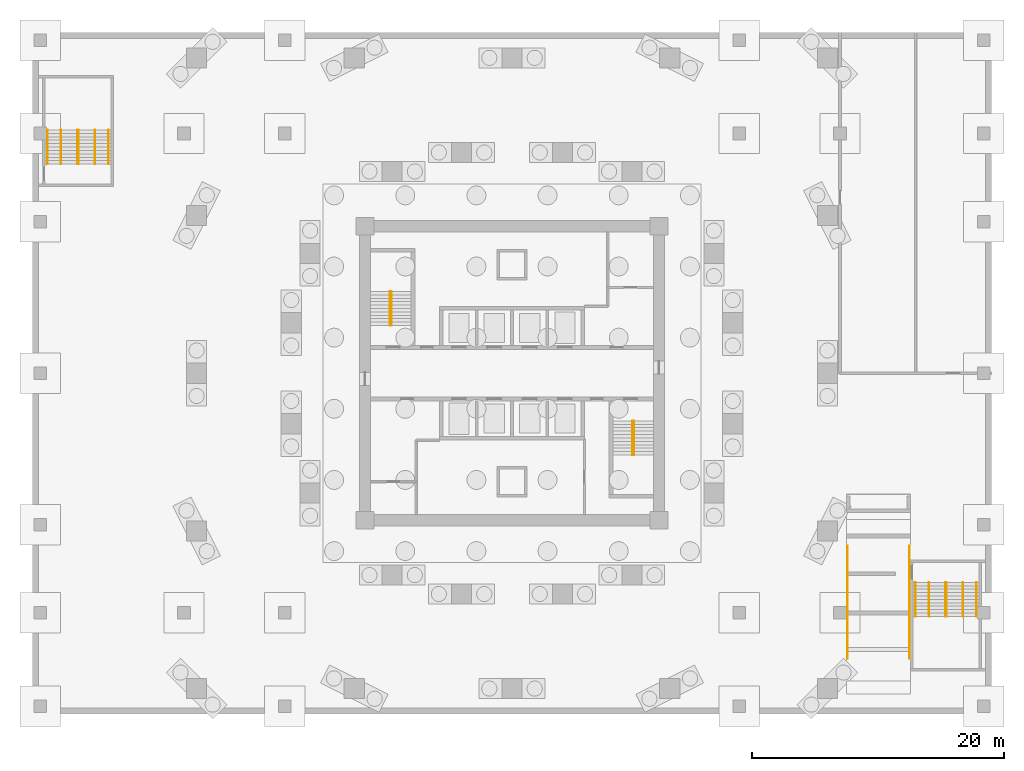
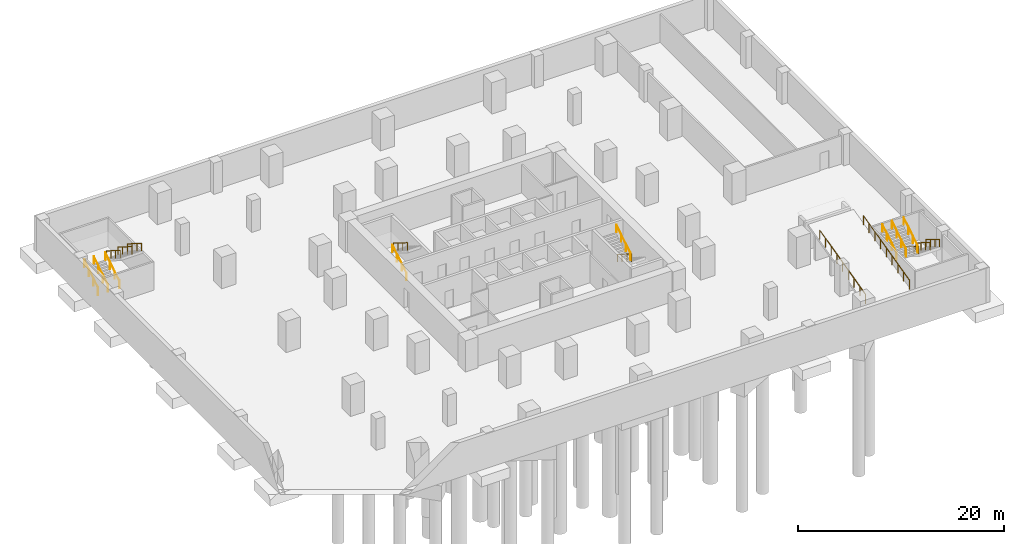
# One storey, part 10 of 11: 18 railings, 4 elements without a shape of their own.
"""IFC4 building model written with IfcOpenShell, lengths in metres."""

from ifc_helpers import new_model, si_unit, direction, frame, origin, origin_2d, place, context, subcontext, project, spatial, circle, extrude, material, type_object, element, aggregate, save


model = new_model("IFC4")

# Units and contexts
model_context = context("Model", 3, precision=1e-05, world=origin(), true_north=direction((0.0, 1.0)))
body_context = subcontext(model_context, "Body", "Model", "MODEL_VIEW")
ifc_project = project(units=[si_unit("LENGTHUNIT", "METRE"), si_unit("AREAUNIT", "SQUARE_METRE"), si_unit("VOLUMEUNIT", "CUBIC_METRE"), si_unit("PLANEANGLEUNIT", "RADIAN"), si_unit("MASSUNIT", "GRAM", prefix="KILO")], contexts=[model_context])

# Site, building, storey
site_placement = place(None, origin())
site = spatial("IfcSite", under=ifc_project, at=site_placement, CompositionType="ELEMENT")
building_placement = place(site_placement, origin())
building = spatial("IfcBuilding", under=site, at=building_placement, Name="Torsade Residences", CompositionType="ELEMENT")
storey_placement = place(building_placement, frame((0.0, 0.0, -7.39990234375)))
storey = spatial("IfcBuildingStorey", under=building, at=storey_placement, Name="B2", CompositionType="ELEMENT", Elevation=-7.39990234375)

# Railings
ifc_material_1 = material(Name="Galvanised steel guard rail", Category="steel")
railing_type_1 = type_object("IfcRailingType", Name="RAMP OPENING GUARD 1100", PredefinedType="GUARDRAIL", material=ifc_material_1)
for number, where, name in (
    (1, (66.60009765625, 7.39990234375, 0.699951171875), "Ramp edge guard R1 west"),
    (2, (71.5, 7.39990234375, 0.699951171875), "Ramp edge guard R1 east"),
):
    element("IfcRailing", number, at=place(storey_placement, frame(where)), inside=storey, type_object=railing_type_1, Name=name, PredefinedType="GUARDRAIL", context=body_context, shape_type="SweptSolid", body=[
        extrude(circle(Radius=0.02392578125, at=origin_2d()), frame((0.0, 0.0, 1.076171875), z_axis=(0.0, 0.970147196231, 0.242516839919), x_axis=(-1.0, 0.0, 0.0)), (0.0, 0.0, 1.0), 9.174072265625),
        extrude(circle(Radius=0.02099609375, at=origin_2d()), origin(), (0.0, 0.0, 1.0), 1.052001953125),
        extrude(circle(Radius=0.02099609375, at=origin_2d()), frame((0.0, 1.112548828125, 0.278076171875)), (0.0, 0.0, 1.0), 1.052001953125),
        extrude(circle(Radius=0.02099609375, at=origin_2d()), frame((0.0, 2.22509765625, 0.55615234375)), (0.0, 0.0, 1.0), 1.052001953125),
        extrude(circle(Radius=0.02099609375, at=origin_2d()), frame((0.0, 3.337646484375, 0.834228515625)), (0.0, 0.0, 1.0), 1.052001953125),
        extrude(circle(Radius=0.02099609375, at=origin_2d()), frame((0.0, 4.4501953125, 1.1123046875)), (0.0, 0.0, 1.0), 1.052001953125),
        extrude(circle(Radius=0.02099609375, at=origin_2d()), frame((0.0, 5.5625, 1.390625)), (0.0, 0.0, 1.0), 1.052001953125),
        extrude(circle(Radius=0.02099609375, at=origin_2d()), frame((0.0, 6.675048828125, 1.668701171875)), (0.0, 0.0, 1.0), 1.052001953125),
        extrude(circle(Radius=0.02099609375, at=origin_2d()), frame((0.0, 7.78759765625, 1.94677734375)), (0.0, 0.0, 1.0), 1.052001953125),
        extrude(circle(Radius=0.02099609375, at=origin_2d()), frame((0.0, 8.900146484375, 2.224853515625)), (0.0, 0.0, 1.0), 1.052001953125),
    ])

# Stair, railings
ifc_material_2 = material(Name="Precast concrete 40 MPa", Category="concrete")
stair_type_1 = type_object("IfcStairType", Name="HALF-TURN FIRE STAIR 1500x3700", PredefinedType="HALF_TURN_STAIR", material=ifc_material_2)
stair_1_placement = place(storey_placement, origin())
stair_1 = element("IfcStair", 3, at=stair_1_placement, inside=storey, type_object=stair_type_1, Name="Stair ST1 B2", PredefinedType="HALF_TURN_STAIR")
ifc_material_3 = material(Name="Steel handrail", Category="steel")
railing_type_2 = type_object("IfcRailingType", Name="STAIR HANDRAIL 900", PredefinedType="HANDRAIL", material=ifc_material_3)
railing_1_placement = place(storey_placement, frame((30.35009765625, 33.780029296875, 0.16796875)))
railing_1 = element("IfcRailing", 4, at=railing_1_placement, type_object=railing_type_2, Name="Handrail ST1 flight 1 B2", PredefinedType="HANDRAIL", context=body_context, shape_type="SweptSolid", body=[
    extrude(circle(Radius=0.02392578125, at=origin_2d()), frame((0.0, 0.0, 0.8759765625), z_axis=(0.0, 0.848786430784, 0.528735846068), x_axis=(-1.0, 0.0, 0.0)), (0.0, 0.0, 1.0), 3.180908203125),
    extrude(circle(Radius=0.02099609375, at=origin_2d()), origin(), (0.0, 0.0, 1.0), 0.851806640625),
    extrude(circle(Radius=0.02099609375, at=origin_2d()), frame((0.0, 0.89990234375, 0.560546875)), (0.0, 0.0, 1.0), 0.851806640625),
    extrude(circle(Radius=0.02099609375, at=origin_2d()), frame((0.0, 1.800048828125, 1.121337890625)), (0.0, 0.0, 1.0), 0.851806640625),
    extrude(circle(Radius=0.02099609375, at=origin_2d()), frame((0.0, 2.699951171875, 1.681884765625)), (0.0, 0.0, 1.0), 0.851806640625),
])
railing_2_placement = place(storey_placement, frame((30.449951171875, 36.47998046875, 2.01806640625)))
railing_2 = element("IfcRailing", 5, at=railing_2_placement, type_object=railing_type_2, Name="Handrail ST1 flight 2 B2", PredefinedType="HANDRAIL", context=body_context, shape_type="SweptSolid", body=[
    extrude(circle(Radius=0.02392578125, at=origin_2d()), frame((0.0, 0.0, 0.8759765625), z_axis=(0.0, -0.848786430784, 0.528735846068), x_axis=(1.0, 0.0, 0.0)), (0.0, 0.0, 1.0), 3.180908203125),
    extrude(circle(Radius=0.02099609375, at=origin_2d()), origin(), (0.0, 0.0, 1.0), 0.851806640625),
    extrude(circle(Radius=0.02099609375, at=origin_2d()), frame((0.0, -0.89990234375, 0.560546875)), (0.0, 0.0, 1.0), 0.851806640625),
    extrude(circle(Radius=0.02099609375, at=origin_2d()), frame((0.0, -1.800048828125, 1.121337890625)), (0.0, 0.0, 1.0), 0.851806640625),
    extrude(circle(Radius=0.02099609375, at=origin_2d()), frame((0.0, -2.699951171875, 1.681884765625)), (0.0, 0.0, 1.0), 0.851806640625),
])
aggregate(stair_1, [railing_1, railing_2])

stair_2_placement = place(storey_placement, origin())
stair_2 = element("IfcStair", 6, at=stair_2_placement, inside=storey, type_object=stair_type_1, Name="Stair ST2 B2", PredefinedType="HALF_TURN_STAIR")
railing_3_placement = place(storey_placement, frame((49.64990234375, 26.219970703125, 0.16796875)))
railing_3 = element("IfcRailing", 7, at=railing_3_placement, type_object=railing_type_2, Name="Handrail ST2 flight 1 B2", PredefinedType="HANDRAIL", context=body_context, shape_type="SweptSolid", body=[
    extrude(circle(Radius=0.02392578125, at=origin_2d()), frame((0.0, 0.0, 0.8759765625), z_axis=(0.0, -0.848786430784, 0.528735846068), x_axis=(1.0, 0.0, 0.0)), (0.0, 0.0, 1.0), 3.180908203125),
    extrude(circle(Radius=0.02099609375, at=origin_2d()), origin(), (0.0, 0.0, 1.0), 0.851806640625),
    extrude(circle(Radius=0.02099609375, at=origin_2d()), frame((0.0, -0.89990234375, 0.560546875)), (0.0, 0.0, 1.0), 0.851806640625),
    extrude(circle(Radius=0.02099609375, at=origin_2d()), frame((0.0, -1.800048828125, 1.121337890625)), (0.0, 0.0, 1.0), 0.851806640625),
    extrude(circle(Radius=0.02099609375, at=origin_2d()), frame((0.0, -2.699951171875, 1.681884765625)), (0.0, 0.0, 1.0), 0.851806640625),
])
railing_4_placement = place(storey_placement, frame((49.550048828125, 23.52001953125, 2.01806640625)))
railing_4 = element("IfcRailing", 8, at=railing_4_placement, type_object=railing_type_2, Name="Handrail ST2 flight 2 B2", PredefinedType="HANDRAIL", context=body_context, shape_type="SweptSolid", body=[
    extrude(circle(Radius=0.02392578125, at=origin_2d()), frame((0.0, 0.0, 0.8759765625), z_axis=(0.0, 0.848786430784, 0.528735846068), x_axis=(-1.0, 0.0, 0.0)), (0.0, 0.0, 1.0), 3.180908203125),
    extrude(circle(Radius=0.02099609375, at=origin_2d()), origin(), (0.0, 0.0, 1.0), 0.851806640625),
    extrude(circle(Radius=0.02099609375, at=origin_2d()), frame((0.0, 0.89990234375, 0.560546875)), (0.0, 0.0, 1.0), 0.851806640625),
    extrude(circle(Radius=0.02099609375, at=origin_2d()), frame((0.0, 1.800048828125, 1.121337890625)), (0.0, 0.0, 1.0), 0.851806640625),
    extrude(circle(Radius=0.02099609375, at=origin_2d()), frame((0.0, 2.699951171875, 1.681884765625)), (0.0, 0.0, 1.0), 0.851806640625),
])
aggregate(stair_2, [railing_3, railing_4])

ifc_material_4 = material(Name="Concrete 40 MPa", Category="concrete")
stair_type_2 = type_object("IfcStairType", Name="HALF-TURN PODIUM STAIR 2500x3700", PredefinedType="HALF_TURN_STAIR", material=ifc_material_4)
stair_3_placement = place(storey_placement, origin())
stair_3 = element("IfcStair", 9, at=stair_3_placement, inside=storey, type_object=stair_type_2, Name="Stair ST3 B2", PredefinedType="HALF_TURN_STAIR")
railing_5_placement = place(storey_placement, frame((5.550048828125, 46.580078125, 0.16796875)))
railing_5 = element("IfcRailing", 10, at=railing_5_placement, type_object=railing_type_2, Name="Handrail ST3 flight 1 B2", PredefinedType="HANDRAIL", context=body_context, shape_type="SweptSolid", body=[
    extrude(circle(Radius=0.02392578125, at=origin_2d()), frame((0.0, 0.0, 0.8759765625), z_axis=(0.0, 0.848786430784, 0.528735846068), x_axis=(-1.0, 0.0, 0.0)), (0.0, 0.0, 1.0), 3.180908203125),
    extrude(circle(Radius=0.02099609375, at=origin_2d()), origin(), (0.0, 0.0, 1.0), 0.851806640625),
    extrude(circle(Radius=0.02099609375, at=origin_2d()), frame((0.0, 0.89990234375, 0.560546875)), (0.0, 0.0, 1.0), 0.851806640625),
    extrude(circle(Radius=0.02099609375, at=origin_2d()), frame((0.0, 1.800048828125, 1.121337890625)), (0.0, 0.0, 1.0), 0.851806640625),
    extrude(circle(Radius=0.02099609375, at=origin_2d()), frame((0.0, 2.699951171875, 1.681884765625)), (0.0, 0.0, 1.0), 0.851806640625),
])
railing_6_placement = place(storey_placement, frame((3.175048828125, 46.580078125, 0.16796875)))
railing_6 = element("IfcRailing", 11, at=railing_6_placement, type_object=railing_type_2, Name="Handrail ST3 flight 1 wall side B2", PredefinedType="HANDRAIL", context=body_context, shape_type="SweptSolid", body=[
    extrude(circle(Radius=0.02392578125, at=origin_2d()), frame((0.0, 0.0, 0.8759765625), z_axis=(0.0, 0.848786430784, 0.528735846068), x_axis=(-1.0, 0.0, 0.0)), (0.0, 0.0, 1.0), 3.180908203125),
    extrude(circle(Radius=0.02099609375, at=origin_2d()), origin(), (0.0, 0.0, 1.0), 0.851806640625),
    extrude(circle(Radius=0.02099609375, at=origin_2d()), frame((0.0, 0.89990234375, 0.560546875)), (0.0, 0.0, 1.0), 0.851806640625),
    extrude(circle(Radius=0.02099609375, at=origin_2d()), frame((0.0, 1.800048828125, 1.121337890625)), (0.0, 0.0, 1.0), 0.851806640625),
    extrude(circle(Radius=0.02099609375, at=origin_2d()), frame((0.0, 2.699951171875, 1.681884765625)), (0.0, 0.0, 1.0), 0.851806640625),
])
railing_7_placement = place(storey_placement, frame((4.25, 46.580078125, 0.16796875)))
railing_7 = element("IfcRailing", 12, at=railing_7_placement, type_object=railing_type_2, Name="Handrail ST3 flight 1 intermediate B2", PredefinedType="HANDRAIL", context=body_context, shape_type="SweptSolid", body=[
    extrude(circle(Radius=0.02392578125, at=origin_2d()), frame((0.0, 0.0, 0.8759765625), z_axis=(0.0, 0.848786430784, 0.528735846068), x_axis=(-1.0, 0.0, 0.0)), (0.0, 0.0, 1.0), 3.180908203125),
    extrude(circle(Radius=0.02099609375, at=origin_2d()), origin(), (0.0, 0.0, 1.0), 0.851806640625),
    extrude(circle(Radius=0.02099609375, at=origin_2d()), frame((0.0, 0.89990234375, 0.560546875)), (0.0, 0.0, 1.0), 0.851806640625),
    extrude(circle(Radius=0.02099609375, at=origin_2d()), frame((0.0, 1.800048828125, 1.121337890625)), (0.0, 0.0, 1.0), 0.851806640625),
    extrude(circle(Radius=0.02099609375, at=origin_2d()), frame((0.0, 2.699951171875, 1.681884765625)), (0.0, 0.0, 1.0), 0.851806640625),
])
railing_8_placement = place(storey_placement, frame((5.64990234375, 49.280029296875, 2.01806640625)))
railing_8 = element("IfcRailing", 13, at=railing_8_placement, type_object=railing_type_2, Name="Handrail ST3 flight 2 B2", PredefinedType="HANDRAIL", context=body_context, shape_type="SweptSolid", body=[
    extrude(circle(Radius=0.02392578125, at=origin_2d()), frame((0.0, 0.0, 0.8759765625), z_axis=(0.0, -0.848786430784, 0.528735846068), x_axis=(1.0, 0.0, 0.0)), (0.0, 0.0, 1.0), 3.180908203125),
    extrude(circle(Radius=0.02099609375, at=origin_2d()), origin(), (0.0, 0.0, 1.0), 0.851806640625),
    extrude(circle(Radius=0.02099609375, at=origin_2d()), frame((0.0, -0.89990234375, 0.560546875)), (0.0, 0.0, 1.0), 0.851806640625),
    extrude(circle(Radius=0.02099609375, at=origin_2d()), frame((0.0, -1.800048828125, 1.121337890625)), (0.0, 0.0, 1.0), 0.851806640625),
    extrude(circle(Radius=0.02099609375, at=origin_2d()), frame((0.0, -2.699951171875, 1.681884765625)), (0.0, 0.0, 1.0), 0.851806640625),
])
railing_9_placement = place(storey_placement, frame((8.02490234375, 49.280029296875, 2.01806640625)))
railing_9 = element("IfcRailing", 14, at=railing_9_placement, type_object=railing_type_2, Name="Handrail ST3 flight 2 wall side B2", PredefinedType="HANDRAIL", context=body_context, shape_type="SweptSolid", body=[
    extrude(circle(Radius=0.02392578125, at=origin_2d()), frame((0.0, 0.0, 0.8759765625), z_axis=(0.0, -0.848786430784, 0.528735846068), x_axis=(1.0, 0.0, 0.0)), (0.0, 0.0, 1.0), 3.180908203125),
    extrude(circle(Radius=0.02099609375, at=origin_2d()), origin(), (0.0, 0.0, 1.0), 0.851806640625),
    extrude(circle(Radius=0.02099609375, at=origin_2d()), frame((0.0, -0.89990234375, 0.560546875)), (0.0, 0.0, 1.0), 0.851806640625),
    extrude(circle(Radius=0.02099609375, at=origin_2d()), frame((0.0, -1.800048828125, 1.121337890625)), (0.0, 0.0, 1.0), 0.851806640625),
    extrude(circle(Radius=0.02099609375, at=origin_2d()), frame((0.0, -2.699951171875, 1.681884765625)), (0.0, 0.0, 1.0), 0.851806640625),
])
railing_10_placement = place(storey_placement, frame((6.949951171875, 49.280029296875, 2.01806640625)))
railing_10 = element("IfcRailing", 15, at=railing_10_placement, type_object=railing_type_2, Name="Handrail ST3 flight 2 intermediate B2", PredefinedType="HANDRAIL", context=body_context, shape_type="SweptSolid", body=[
    extrude(circle(Radius=0.02392578125, at=origin_2d()), frame((0.0, 0.0, 0.8759765625), z_axis=(0.0, -0.848786430784, 0.528735846068), x_axis=(1.0, 0.0, 0.0)), (0.0, 0.0, 1.0), 3.180908203125),
    extrude(circle(Radius=0.02099609375, at=origin_2d()), origin(), (0.0, 0.0, 1.0), 0.851806640625),
    extrude(circle(Radius=0.02099609375, at=origin_2d()), frame((0.0, -0.89990234375, 0.560546875)), (0.0, 0.0, 1.0), 0.851806640625),
    extrude(circle(Radius=0.02099609375, at=origin_2d()), frame((0.0, -1.800048828125, 1.121337890625)), (0.0, 0.0, 1.0), 0.851806640625),
    extrude(circle(Radius=0.02099609375, at=origin_2d()), frame((0.0, -2.699951171875, 1.681884765625)), (0.0, 0.0, 1.0), 0.851806640625),
])
aggregate(stair_3, [railing_5, railing_6, railing_7, railing_8, railing_9, railing_10])

stair_4_placement = place(storey_placement, origin())
stair_4 = element("IfcStair", 16, at=stair_4_placement, inside=storey, type_object=stair_type_2, Name="Stair ST4 B2", PredefinedType="HALF_TURN_STAIR")
railing_11_placement = place(storey_placement, frame((74.449951171875, 13.419921875, 0.16796875)))
railing_11 = element("IfcRailing", 17, at=railing_11_placement, type_object=railing_type_2, Name="Handrail ST4 flight 1 B2", PredefinedType="HANDRAIL", context=body_context, shape_type="SweptSolid", body=[
    extrude(circle(Radius=0.02392578125, at=origin_2d()), frame((0.0, 0.0, 0.8759765625), z_axis=(0.0, -0.848786430784, 0.528735846068), x_axis=(1.0, 0.0, 0.0)), (0.0, 0.0, 1.0), 3.180908203125),
    extrude(circle(Radius=0.02099609375, at=origin_2d()), origin(), (0.0, 0.0, 1.0), 0.851806640625),
    extrude(circle(Radius=0.02099609375, at=origin_2d()), frame((0.0, -0.89990234375, 0.560546875)), (0.0, 0.0, 1.0), 0.851806640625),
    extrude(circle(Radius=0.02099609375, at=origin_2d()), frame((0.0, -1.800048828125, 1.121337890625)), (0.0, 0.0, 1.0), 0.851806640625),
    extrude(circle(Radius=0.02099609375, at=origin_2d()), frame((0.0, -2.699951171875, 1.681884765625)), (0.0, 0.0, 1.0), 0.851806640625),
])
railing_12_placement = place(storey_placement, frame((76.824951171875, 13.419921875, 0.16796875)))
railing_12 = element("IfcRailing", 18, at=railing_12_placement, type_object=railing_type_2, Name="Handrail ST4 flight 1 wall side B2", PredefinedType="HANDRAIL", context=body_context, shape_type="SweptSolid", body=[
    extrude(circle(Radius=0.02392578125, at=origin_2d()), frame((0.0, 0.0, 0.8759765625), z_axis=(0.0, -0.848786430784, 0.528735846068), x_axis=(1.0, 0.0, 0.0)), (0.0, 0.0, 1.0), 3.180908203125),
    extrude(circle(Radius=0.02099609375, at=origin_2d()), origin(), (0.0, 0.0, 1.0), 0.851806640625),
    extrude(circle(Radius=0.02099609375, at=origin_2d()), frame((0.0, -0.89990234375, 0.560546875)), (0.0, 0.0, 1.0), 0.851806640625),
    extrude(circle(Radius=0.02099609375, at=origin_2d()), frame((0.0, -1.800048828125, 1.121337890625)), (0.0, 0.0, 1.0), 0.851806640625),
    extrude(circle(Radius=0.02099609375, at=origin_2d()), frame((0.0, -2.699951171875, 1.681884765625)), (0.0, 0.0, 1.0), 0.851806640625),
])
railing_13_placement = place(storey_placement, frame((75.75, 13.419921875, 0.16796875)))
railing_13 = element("IfcRailing", 19, at=railing_13_placement, type_object=railing_type_2, Name="Handrail ST4 flight 1 intermediate B2", PredefinedType="HANDRAIL", context=body_context, shape_type="SweptSolid", body=[
    extrude(circle(Radius=0.02392578125, at=origin_2d()), frame((0.0, 0.0, 0.8759765625), z_axis=(0.0, -0.848786430784, 0.528735846068), x_axis=(1.0, 0.0, 0.0)), (0.0, 0.0, 1.0), 3.180908203125),
    extrude(circle(Radius=0.02099609375, at=origin_2d()), origin(), (0.0, 0.0, 1.0), 0.851806640625),
    extrude(circle(Radius=0.02099609375, at=origin_2d()), frame((0.0, -0.89990234375, 0.560546875)), (0.0, 0.0, 1.0), 0.851806640625),
    extrude(circle(Radius=0.02099609375, at=origin_2d()), frame((0.0, -1.800048828125, 1.121337890625)), (0.0, 0.0, 1.0), 0.851806640625),
    extrude(circle(Radius=0.02099609375, at=origin_2d()), frame((0.0, -2.699951171875, 1.681884765625)), (0.0, 0.0, 1.0), 0.851806640625),
])
railing_14_placement = place(storey_placement, frame((74.35009765625, 10.719970703125, 2.01806640625)))
railing_14 = element("IfcRailing", 20, at=railing_14_placement, type_object=railing_type_2, Name="Handrail ST4 flight 2 B2", PredefinedType="HANDRAIL", context=body_context, shape_type="SweptSolid", body=[
    extrude(circle(Radius=0.02392578125, at=origin_2d()), frame((0.0, 0.0, 0.8759765625), z_axis=(0.0, 0.848786430784, 0.528735846068), x_axis=(-1.0, 0.0, 0.0)), (0.0, 0.0, 1.0), 3.180908203125),
    extrude(circle(Radius=0.02099609375, at=origin_2d()), origin(), (0.0, 0.0, 1.0), 0.851806640625),
    extrude(circle(Radius=0.02099609375, at=origin_2d()), frame((0.0, 0.89990234375, 0.560546875)), (0.0, 0.0, 1.0), 0.851806640625),
    extrude(circle(Radius=0.02099609375, at=origin_2d()), frame((0.0, 1.800048828125, 1.121337890625)), (0.0, 0.0, 1.0), 0.851806640625),
    extrude(circle(Radius=0.02099609375, at=origin_2d()), frame((0.0, 2.699951171875, 1.681884765625)), (0.0, 0.0, 1.0), 0.851806640625),
])
railing_15_placement = place(storey_placement, frame((71.97509765625, 10.719970703125, 2.01806640625)))
railing_15 = element("IfcRailing", 21, at=railing_15_placement, type_object=railing_type_2, Name="Handrail ST4 flight 2 wall side B2", PredefinedType="HANDRAIL", context=body_context, shape_type="SweptSolid", body=[
    extrude(circle(Radius=0.02392578125, at=origin_2d()), frame((0.0, 0.0, 0.8759765625), z_axis=(0.0, 0.848786430784, 0.528735846068), x_axis=(-1.0, 0.0, 0.0)), (0.0, 0.0, 1.0), 3.180908203125),
    extrude(circle(Radius=0.02099609375, at=origin_2d()), origin(), (0.0, 0.0, 1.0), 0.851806640625),
    extrude(circle(Radius=0.02099609375, at=origin_2d()), frame((0.0, 0.89990234375, 0.560546875)), (0.0, 0.0, 1.0), 0.851806640625),
    extrude(circle(Radius=0.02099609375, at=origin_2d()), frame((0.0, 1.800048828125, 1.121337890625)), (0.0, 0.0, 1.0), 0.851806640625),
    extrude(circle(Radius=0.02099609375, at=origin_2d()), frame((0.0, 2.699951171875, 1.681884765625)), (0.0, 0.0, 1.0), 0.851806640625),
])
railing_16_placement = place(storey_placement, frame((73.050048828125, 10.719970703125, 2.01806640625)))
railing_16 = element("IfcRailing", 22, at=railing_16_placement, type_object=railing_type_2, Name="Handrail ST4 flight 2 intermediate B2", PredefinedType="HANDRAIL", context=body_context, shape_type="SweptSolid", body=[
    extrude(circle(Radius=0.02392578125, at=origin_2d()), frame((0.0, 0.0, 0.8759765625), z_axis=(0.0, 0.848786430784, 0.528735846068), x_axis=(-1.0, 0.0, 0.0)), (0.0, 0.0, 1.0), 3.180908203125),
    extrude(circle(Radius=0.02099609375, at=origin_2d()), origin(), (0.0, 0.0, 1.0), 0.851806640625),
    extrude(circle(Radius=0.02099609375, at=origin_2d()), frame((0.0, 0.89990234375, 0.560546875)), (0.0, 0.0, 1.0), 0.851806640625),
    extrude(circle(Radius=0.02099609375, at=origin_2d()), frame((0.0, 1.800048828125, 1.121337890625)), (0.0, 0.0, 1.0), 0.851806640625),
    extrude(circle(Radius=0.02099609375, at=origin_2d()), frame((0.0, 2.699951171875, 1.681884765625)), (0.0, 0.0, 1.0), 0.851806640625),
])
aggregate(stair_4, [railing_11, railing_12, railing_13, railing_14, railing_15, railing_16])

save(model, "model.ifc")
